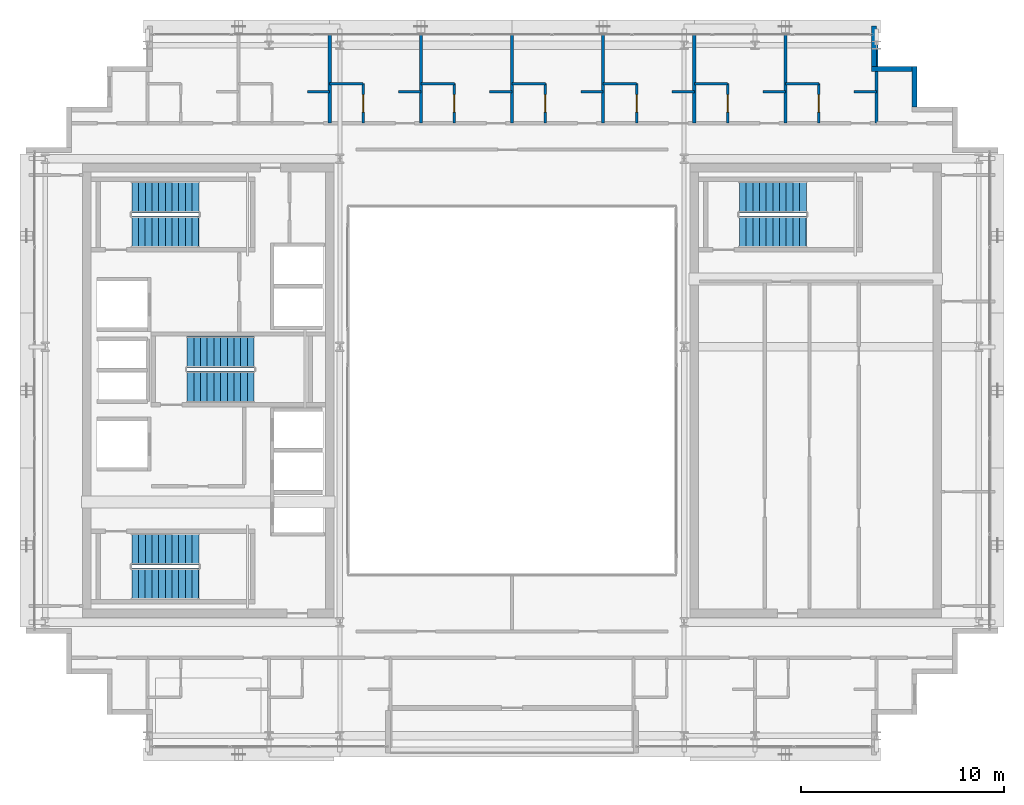
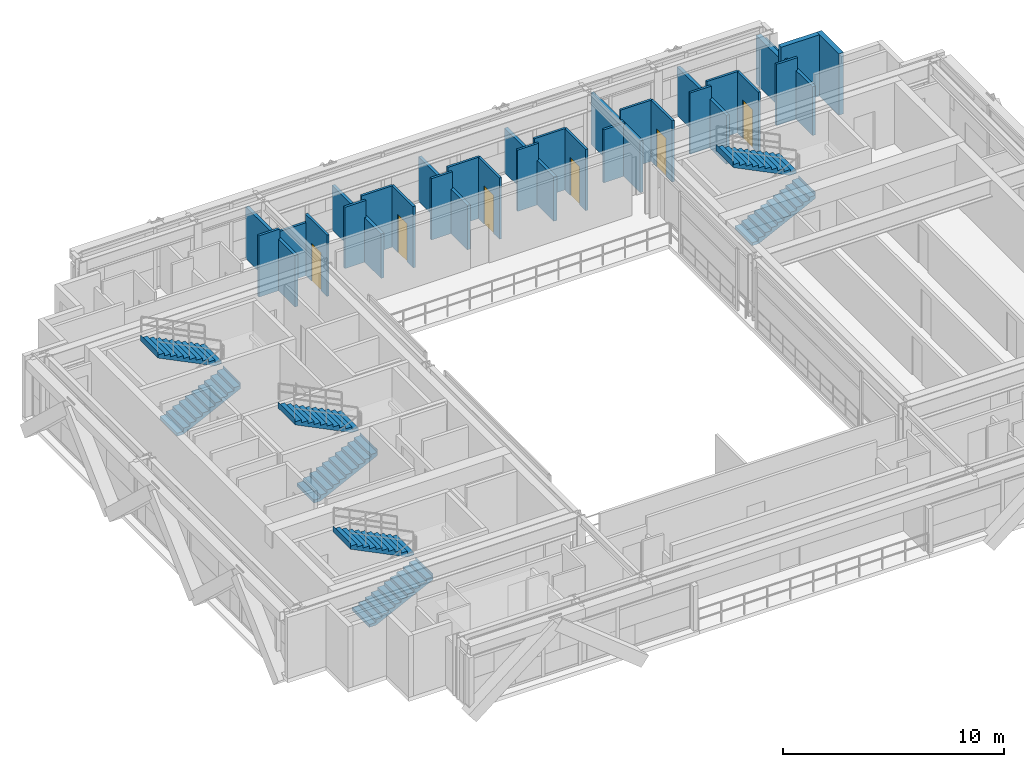
# One storey, part 25 of 29: 29 walls, 8 stair flights, 6 doors, 6 openings, 4 elements without a shape of their own.
"""IFC4 building model written with IfcOpenShell, lengths in metres."""

from ifc_helpers import new_model, si_unit, direction, frame, frame_2d, origin, place, context, subcontext, project, spatial, polyline, rectangle, outline, extrude, source, transform, mapped, material, layer, layer_set, type_object, element, fill, aggregate, save


model = new_model("IFC4")

# Units and contexts
model_context = context("Model", 3, precision=1e-05, world=origin(), true_north=direction((0.0, 1.0)))
body_context = subcontext(model_context, "Body", "Model", "MODEL_VIEW")
ifc_project = project(units=[si_unit("LENGTHUNIT", "METRE"), si_unit("AREAUNIT", "SQUARE_METRE"), si_unit("VOLUMEUNIT", "CUBIC_METRE"), si_unit("PLANEANGLEUNIT", "RADIAN"), si_unit("MASSUNIT", "GRAM", prefix="KILO")], contexts=[model_context])

# Site, building, storey
site_placement = place(None, origin())
site = spatial("IfcSite", under=ifc_project, at=site_placement, CompositionType="ELEMENT")
building_placement = place(site_placement, origin())
building = spatial("IfcBuilding", under=site, at=building_placement, Name="Ocotamira Hotel", CompositionType="ELEMENT")
storey_placement = place(building_placement, frame((0.0, 0.0, 236.39990234375)))
storey = spatial("IfcBuildingStorey", under=building, at=storey_placement, Name="L59", CompositionType="ELEMENT", Elevation=236.39990234375)

# Walls
ifc_material_1 = material(Name="Precast concrete C45/55", Category="concrete")
ifc_layer_1 = layer(ifc_material_1, 0.25)
ifc_layer_set_1 = layer_set([ifc_layer_1], Name="Precast concrete C45/55")
wall_type_1 = type_object("IfcWallType", Name="WL-EXT-SER-250", PredefinedType="SOLIDWALL", material=ifc_layer_set_1)
for number, where, z_axis, x_axis, name in (
    (1, (51.875, 40.0, 0.0), (0.0, 0.0, 1.0), (0.0, 1.0, 0.0), "L59 Serrated Corner Wall 10"),
    (2, (51.75, 41.875, 0.0), (0.0, 0.0, 1.0), (-1.0, 0.0, 0.0), "L59 Serrated Corner Wall 11"),
):
    element("IfcWall", number, at=place(storey_placement, frame(where, z_axis=z_axis, x_axis=x_axis)), inside=storey, type_object=wall_type_1, Name=name, PredefinedType="SOLIDWALL", context=body_context, shape_type="SweptSolid", body=[
        extrude(rectangle(XDim=2.0, YDim=0.25, at=frame_2d((1.0, 0.0))), origin(), (0.0, 0.0, 1.0), 3.380126953125),
    ])
wall_1_placement = place(storey_placement, frame((49.875, 42.0, 0.0), z_axis=(0.0, 0.0, 1.0), x_axis=(0.0, 1.0, 0.0)))
element("IfcWall", 3, at=wall_1_placement, inside=storey, type_object=wall_type_1, Name="L59 Serrated Corner Wall 12", PredefinedType="SOLIDWALL", context=body_context, shape_type="SweptSolid", body=[
    extrude(rectangle(XDim=2.0, YDim=0.25, at=frame_2d((1.0, 0.0))), origin(), (0.0, 0.0, 1.0), 2.68701171875),
])
ifc_material_2 = material(Name="Moisture-resistant en-suite tile and gypsum partition", Category="gypsum")
ifc_layer_2 = layer(ifc_material_2, 0.1201171875)
ifc_layer_set_2 = layer_set([ifc_layer_2], Name="Moisture-resistant en-suite tile and gypsum partition")
wall_type_2 = type_object("IfcWallType", Name="WL-PART-120", PredefinedType="PARTITIONING", material=ifc_layer_set_2)
wall_2_placement = place(storey_placement, frame((21.89990234375, 40.75, 0.0), z_axis=(0.0, 0.0, 1.0), x_axis=(1.0, 0.0, 0.0)))
element("IfcWall", 4, at=wall_2_placement, inside=storey, type_object=wall_type_2, Name="L59 Interior Wall PW-L59-Z4BN-DRN2", PredefinedType="PARTITIONING", context=body_context, shape_type="SweptSolid", body=[
    extrude(rectangle(XDim=1.10009765625, YDim=0.1201171875, at=frame_2d((0.550048828125, 0.0))), origin(), (0.0, 0.0, 1.0), 3.380126953125),
])

# Wall, opening, door
wall_3_placement = place(storey_placement, frame((24.64990234375, 39.199951171875, 0.0), z_axis=(0.0, 0.0, 1.0), x_axis=(0.0, 1.0, 0.0)))
wall_3 = element("IfcWall", 5, at=wall_3_placement, inside=storey, type_object=wall_type_2, Name="L59 Interior Wall PW-L59-Z4BN-BAE3", PredefinedType="PARTITIONING", context=body_context, shape_type="SweptSolid", body=[
    extrude(rectangle(XDim=1.949951171875, YDim=0.1201171875, at=frame_2d((0.97509765625, 0.0))), origin(), (0.0, 0.0, 1.0), 3.380126953125),
])
opening_1_placement = place(wall_3_placement, frame((0.544921875, 0.0, 0.0)))
opening_1 = element("IfcOpeningElement", 6, at=opening_1_placement, cuts=wall_3, Name="Opening D-BA1", PredefinedType="OPENING", context=body_context, shape_type="SweptSolid", body=[
    extrude(rectangle(XDim=0.860107421875, YDim=2.10009765625, at=frame_2d((0.43017578125, 1.050048828125))), frame((0.0, 0.070068359375, 0.0), z_axis=(0.0, -1.0, 0.0), x_axis=(1.0, 0.0, 0.0)), (0.0, 0.0, 1.0), 0.14013671875),
])
ifc_material_3 = material(Name="Moisture-sealed en-suite timber door", Category="wood")
door_type = type_object("IfcDoorType", Name="DR-BATH-860", OperationType="NOTDEFINED", PredefinedType="DOOR", material=ifc_material_3)
shared_shape_1 = source(origin(), body_context, "Body", "SweptSolid", [
    extrude(rectangle(XDim=0.860107421875, YDim=2.10009765625, at=frame_2d((0.43017578125, 1.050048828125))), frame((0.0, 0.02490234375, 0.0), z_axis=(0.0, -1.0, 0.0), x_axis=(1.0, 0.0, 0.0)), (0.0, 0.0, 1.0), 0.050048828125),
])
door_1_placement = place(opening_1_placement, origin())
door_1 = element("IfcDoor", 7, at=door_1_placement, inside=storey, type_object=door_type, Name="L59 Door ID-L59-Z4BN-BAD3 [ID-L59-Z4BN-BAD3]", OperationType="SINGLE_SWING_RIGHT", OverallHeight=2.10009765625, OverallWidth=0.860107421875, PredefinedType="DOOR", context=body_context, shape_type="MappedRepresentation", body=[
    mapped(shared_shape_1, transform((0.0, 0.0, 0.0), scale=1.0)),
])
fill(opening_1, door_1)

# Walls
wall_4_placement = place(storey_placement, frame((23.0, 41.14990234375, 0.0), z_axis=(0.0, 0.0, 1.0), x_axis=(1.0, 0.0, 0.0)))
element("IfcWall", 8, at=wall_4_placement, inside=storey, type_object=wall_type_2, Name="L59 Interior Wall PW-L59-Z4BN-BAN3", PredefinedType="PARTITIONING", context=body_context, shape_type="SweptSolid", body=[
    extrude(rectangle(XDim=1.64990234375, YDim=0.1201171875, at=frame_2d((0.824951171875, 0.0))), origin(), (0.0, 0.0, 1.0), 2.923095703125),
])
wall_5_placement = place(storey_placement, frame((26.39990234375, 40.75, 0.0), z_axis=(0.0, 0.0, 1.0), x_axis=(1.0, 0.0, 0.0)))
element("IfcWall", 9, at=wall_5_placement, inside=storey, type_object=wall_type_2, Name="L59 Interior Wall PW-L59-Z4BN-DRN3", PredefinedType="PARTITIONING", context=body_context, shape_type="SweptSolid", body=[
    extrude(rectangle(XDim=1.10009765625, YDim=0.1201171875, at=frame_2d((0.550048828125, 0.0))), origin(), (0.0, 0.0, 1.0), 3.380126953125),
])

# Wall, opening, door
wall_6_placement = place(storey_placement, frame((29.14990234375, 39.199951171875, 0.0), z_axis=(0.0, 0.0, 1.0), x_axis=(0.0, 1.0, 0.0)))
wall_6 = element("IfcWall", 10, at=wall_6_placement, inside=storey, type_object=wall_type_2, Name="L59 Interior Wall PW-L59-Z4BN-BAE4", PredefinedType="PARTITIONING", context=body_context, shape_type="SweptSolid", body=[
    extrude(rectangle(XDim=1.949951171875, YDim=0.1201171875, at=frame_2d((0.97509765625, 0.0))), origin(), (0.0, 0.0, 1.0), 3.380126953125),
])
opening_2_placement = place(wall_6_placement, frame((0.544921875, 0.0, 0.0)))
opening_2 = element("IfcOpeningElement", 11, at=opening_2_placement, cuts=wall_6, Name="Opening D-BA1", PredefinedType="OPENING", context=body_context, shape_type="SweptSolid", body=[
    extrude(rectangle(XDim=0.860107421875, YDim=2.10009765625, at=frame_2d((0.43017578125, 1.050048828125))), frame((0.0, 0.070068359375, 0.0), z_axis=(0.0, -1.0, 0.0), x_axis=(1.0, 0.0, 0.0)), (0.0, 0.0, 1.0), 0.14013671875),
])
door_2_placement = place(opening_2_placement, origin())
door_2 = element("IfcDoor", 12, at=door_2_placement, inside=storey, type_object=door_type, Name="L59 Door ID-L59-Z4BN-BAD4 [ID-L59-Z4BN-BAD4]", OperationType="SINGLE_SWING_LEFT", OverallHeight=2.10009765625, OverallWidth=0.860107421875, PredefinedType="DOOR", context=body_context, shape_type="MappedRepresentation", body=[
    mapped(shared_shape_1, transform((0.0, 0.0, 0.0), scale=1.0)),
])
fill(opening_2, door_2)

# Walls
wall_7_placement = place(storey_placement, frame((27.5, 41.14990234375, 0.0), z_axis=(0.0, 0.0, 1.0), x_axis=(1.0, 0.0, 0.0)))
element("IfcWall", 13, at=wall_7_placement, inside=storey, type_object=wall_type_2, Name="L59 Interior Wall PW-L59-Z4BN-BAN4", PredefinedType="PARTITIONING", context=body_context, shape_type="SweptSolid", body=[
    extrude(rectangle(XDim=1.64990234375, YDim=0.1201171875, at=frame_2d((0.824951171875, 0.0))), origin(), (0.0, 0.0, 1.0), 3.380126953125),
])
wall_8_placement = place(storey_placement, frame((30.89990234375, 40.75, 0.0), z_axis=(0.0, 0.0, 1.0), x_axis=(1.0, 0.0, 0.0)))
element("IfcWall", 14, at=wall_8_placement, inside=storey, type_object=wall_type_2, Name="L59 Interior Wall PW-L59-Z4BN-DRN4", PredefinedType="PARTITIONING", context=body_context, shape_type="SweptSolid", body=[
    extrude(rectangle(XDim=1.10009765625, YDim=0.1201171875, at=frame_2d((0.550048828125, 0.0))), origin(), (0.0, 0.0, 1.0), 3.380126953125),
])

# Wall, opening, door
wall_9_placement = place(storey_placement, frame((33.64990234375, 39.199951171875, 0.0), z_axis=(0.0, 0.0, 1.0), x_axis=(0.0, 1.0, 0.0)))
wall_9 = element("IfcWall", 15, at=wall_9_placement, inside=storey, type_object=wall_type_2, Name="L59 Interior Wall PW-L59-Z4BN-BAE5", PredefinedType="PARTITIONING", context=body_context, shape_type="SweptSolid", body=[
    extrude(rectangle(XDim=1.949951171875, YDim=0.1201171875, at=frame_2d((0.97509765625, 0.0))), origin(), (0.0, 0.0, 1.0), 3.380126953125),
])
opening_3_placement = place(wall_9_placement, frame((0.544921875, 0.0, 0.0)))
opening_3 = element("IfcOpeningElement", 16, at=opening_3_placement, cuts=wall_9, Name="Opening D-BA1", PredefinedType="OPENING", context=body_context, shape_type="SweptSolid", body=[
    extrude(rectangle(XDim=0.860107421875, YDim=2.10009765625, at=frame_2d((0.43017578125, 1.050048828125))), frame((0.0, 0.070068359375, 0.0), z_axis=(0.0, -1.0, 0.0), x_axis=(1.0, 0.0, 0.0)), (0.0, 0.0, 1.0), 0.14013671875),
])
door_3_placement = place(opening_3_placement, origin())
door_3 = element("IfcDoor", 17, at=door_3_placement, inside=storey, type_object=door_type, Name="L59 Door ID-L59-Z4BN-BAD5 [ID-L59-Z4BN-BAD5]", OperationType="SINGLE_SWING_RIGHT", OverallHeight=2.10009765625, OverallWidth=0.860107421875, PredefinedType="DOOR", context=body_context, shape_type="MappedRepresentation", body=[
    mapped(shared_shape_1, transform((0.0, 0.0, 0.0), scale=1.0)),
])
fill(opening_3, door_3)

# Walls
wall_10_placement = place(storey_placement, frame((32.0, 41.14990234375, 0.0), z_axis=(0.0, 0.0, 1.0), x_axis=(1.0, 0.0, 0.0)))
element("IfcWall", 18, at=wall_10_placement, inside=storey, type_object=wall_type_2, Name="L59 Interior Wall PW-L59-Z4BN-BAN5", PredefinedType="PARTITIONING", context=body_context, shape_type="SweptSolid", body=[
    extrude(rectangle(XDim=1.64990234375, YDim=0.1201171875, at=frame_2d((0.824951171875, 0.0))), origin(), (0.0, 0.0, 1.0), 3.380126953125),
])
wall_11_placement = place(storey_placement, frame((35.39990234375, 40.75, 0.0), z_axis=(0.0, 0.0, 1.0), x_axis=(1.0, 0.0, 0.0)))
element("IfcWall", 19, at=wall_11_placement, inside=storey, type_object=wall_type_2, Name="L59 Interior Wall PW-L59-Z4BN-DRN5", PredefinedType="PARTITIONING", context=body_context, shape_type="SweptSolid", body=[
    extrude(rectangle(XDim=1.10009765625, YDim=0.1201171875, at=frame_2d((0.550048828125, 0.0))), origin(), (0.0, 0.0, 1.0), 3.380126953125),
])

# Wall, opening, door
wall_12_placement = place(storey_placement, frame((38.14990234375, 39.199951171875, 0.0), z_axis=(0.0, 0.0, 1.0), x_axis=(0.0, 1.0, 0.0)))
wall_12 = element("IfcWall", 20, at=wall_12_placement, inside=storey, type_object=wall_type_2, Name="L59 Interior Wall PW-L59-Z4BN-BAE6", PredefinedType="PARTITIONING", context=body_context, shape_type="SweptSolid", body=[
    extrude(rectangle(XDim=1.949951171875, YDim=0.1201171875, at=frame_2d((0.97509765625, 0.0))), origin(), (0.0, 0.0, 1.0), 3.380126953125),
])
opening_4_placement = place(wall_12_placement, frame((0.544921875, 0.0, 0.0)))
opening_4 = element("IfcOpeningElement", 21, at=opening_4_placement, cuts=wall_12, Name="Opening D-BA1", PredefinedType="OPENING", context=body_context, shape_type="SweptSolid", body=[
    extrude(rectangle(XDim=0.860107421875, YDim=2.10009765625, at=frame_2d((0.43017578125, 1.050048828125))), frame((0.0, 0.070068359375, 0.0), z_axis=(0.0, -1.0, 0.0), x_axis=(1.0, 0.0, 0.0)), (0.0, 0.0, 1.0), 0.14013671875),
])
door_4_placement = place(opening_4_placement, origin())
door_4 = element("IfcDoor", 22, at=door_4_placement, inside=storey, type_object=door_type, Name="L59 Door ID-L59-Z4BN-BAD6 [ID-L59-Z4BN-BAD6]", OperationType="SINGLE_SWING_LEFT", OverallHeight=2.10009765625, OverallWidth=0.860107421875, PredefinedType="DOOR", context=body_context, shape_type="MappedRepresentation", body=[
    mapped(shared_shape_1, transform((0.0, 0.0, 0.0), scale=1.0)),
])
fill(opening_4, door_4)

# Walls
wall_13_placement = place(storey_placement, frame((36.5, 41.14990234375, 0.0), z_axis=(0.0, 0.0, 1.0), x_axis=(1.0, 0.0, 0.0)))
element("IfcWall", 23, at=wall_13_placement, inside=storey, type_object=wall_type_2, Name="L59 Interior Wall PW-L59-Z4BN-BAN6", PredefinedType="PARTITIONING", context=body_context, shape_type="SweptSolid", body=[
    extrude(rectangle(XDim=1.64990234375, YDim=0.1201171875, at=frame_2d((0.824951171875, 0.0))), origin(), (0.0, 0.0, 1.0), 3.380126953125),
])
wall_14_placement = place(storey_placement, frame((39.89990234375, 40.75, 0.0), z_axis=(0.0, 0.0, 1.0), x_axis=(1.0, 0.0, 0.0)))
element("IfcWall", 24, at=wall_14_placement, inside=storey, type_object=wall_type_2, Name="L59 Interior Wall PW-L59-Z4BN-DRN6", PredefinedType="PARTITIONING", context=body_context, shape_type="SweptSolid", body=[
    extrude(rectangle(XDim=1.10009765625, YDim=0.1201171875, at=frame_2d((0.550048828125, 0.0))), origin(), (0.0, 0.0, 1.0), 2.923095703125),
])

# Wall, opening, door
wall_15_placement = place(storey_placement, frame((42.64990234375, 39.199951171875, 0.0), z_axis=(0.0, 0.0, 1.0), x_axis=(0.0, 1.0, 0.0)))
wall_15 = element("IfcWall", 25, at=wall_15_placement, inside=storey, type_object=wall_type_2, Name="L59 Interior Wall PW-L59-Z4BN-BAE7", PredefinedType="PARTITIONING", context=body_context, shape_type="SweptSolid", body=[
    extrude(rectangle(XDim=1.949951171875, YDim=0.1201171875, at=frame_2d((0.97509765625, 0.0))), origin(), (0.0, 0.0, 1.0), 3.380126953125),
])
opening_5_placement = place(wall_15_placement, frame((0.544921875, 0.0, 0.0)))
opening_5 = element("IfcOpeningElement", 26, at=opening_5_placement, cuts=wall_15, Name="Opening D-BA1", PredefinedType="OPENING", context=body_context, shape_type="SweptSolid", body=[
    extrude(rectangle(XDim=0.860107421875, YDim=2.10009765625, at=frame_2d((0.43017578125, 1.050048828125))), frame((0.0, 0.070068359375, 0.0), z_axis=(0.0, -1.0, 0.0), x_axis=(1.0, 0.0, 0.0)), (0.0, 0.0, 1.0), 0.14013671875),
])
door_5_placement = place(opening_5_placement, origin())
door_5 = element("IfcDoor", 27, at=door_5_placement, inside=storey, type_object=door_type, Name="L59 Door ID-L59-Z4BN-BAD7 [ID-L59-Z4BN-BAD7]", OperationType="SINGLE_SWING_RIGHT", OverallHeight=2.10009765625, OverallWidth=0.860107421875, PredefinedType="DOOR", context=body_context, shape_type="MappedRepresentation", body=[
    mapped(shared_shape_1, transform((0.0, 0.0, 0.0), scale=1.0)),
])
fill(opening_5, door_5)

# Walls
wall_16_placement = place(storey_placement, frame((41.0, 41.14990234375, 0.0), z_axis=(0.0, 0.0, 1.0), x_axis=(1.0, 0.0, 0.0)))
element("IfcWall", 28, at=wall_16_placement, inside=storey, type_object=wall_type_2, Name="L59 Interior Wall PW-L59-Z4BN-BAN7", PredefinedType="PARTITIONING", context=body_context, shape_type="SweptSolid", body=[
    extrude(rectangle(XDim=1.64990234375, YDim=0.1201171875, at=frame_2d((0.824951171875, 0.0))), origin(), (0.0, 0.0, 1.0), 3.380126953125),
])
wall_17_placement = place(storey_placement, frame((44.39990234375, 40.75, 0.0), z_axis=(0.0, 0.0, 1.0), x_axis=(1.0, 0.0, 0.0)))
element("IfcWall", 29, at=wall_17_placement, inside=storey, type_object=wall_type_2, Name="L59 Interior Wall PW-L59-Z4BN-DRN7", PredefinedType="PARTITIONING", context=body_context, shape_type="SweptSolid", body=[
    extrude(rectangle(XDim=1.10009765625, YDim=0.1201171875, at=frame_2d((0.550048828125, 0.0))), origin(), (0.0, 0.0, 1.0), 3.380126953125),
])

# Wall, opening, door
wall_18_placement = place(storey_placement, frame((47.14990234375, 39.199951171875, 0.0), z_axis=(0.0, 0.0, 1.0), x_axis=(0.0, 1.0, 0.0)))
wall_18 = element("IfcWall", 30, at=wall_18_placement, inside=storey, type_object=wall_type_2, Name="L59 Interior Wall PW-L59-Z4BN-BAE8", PredefinedType="PARTITIONING", context=body_context, shape_type="SweptSolid", body=[
    extrude(rectangle(XDim=1.949951171875, YDim=0.1201171875, at=frame_2d((0.97509765625, 0.0))), origin(), (0.0, 0.0, 1.0), 3.380126953125),
])
opening_6_placement = place(wall_18_placement, frame((0.544921875, 0.0, 0.0)))
opening_6 = element("IfcOpeningElement", 31, at=opening_6_placement, cuts=wall_18, Name="Opening D-BA1", PredefinedType="OPENING", context=body_context, shape_type="SweptSolid", body=[
    extrude(rectangle(XDim=0.860107421875, YDim=2.10009765625, at=frame_2d((0.43017578125, 1.050048828125))), frame((0.0, 0.070068359375, 0.0), z_axis=(0.0, -1.0, 0.0), x_axis=(1.0, 0.0, 0.0)), (0.0, 0.0, 1.0), 0.14013671875),
])
door_6_placement = place(opening_6_placement, origin())
door_6 = element("IfcDoor", 32, at=door_6_placement, inside=storey, type_object=door_type, Name="L59 Door ID-L59-Z4BN-BAD8 [ID-L59-Z4BN-BAD8]", OperationType="SINGLE_SWING_LEFT", OverallHeight=2.10009765625, OverallWidth=0.860107421875, PredefinedType="DOOR", context=body_context, shape_type="MappedRepresentation", body=[
    mapped(shared_shape_1, transform((0.0, 0.0, 0.0), scale=1.0)),
])
fill(opening_6, door_6)

# Walls
wall_19_placement = place(storey_placement, frame((45.5, 41.14990234375, 0.0), z_axis=(0.0, 0.0, 1.0), x_axis=(1.0, 0.0, 0.0)))
element("IfcWall", 33, at=wall_19_placement, inside=storey, type_object=wall_type_2, Name="L59 Interior Wall PW-L59-Z4BN-BAN8", PredefinedType="PARTITIONING", context=body_context, shape_type="SweptSolid", body=[
    extrude(rectangle(XDim=1.64990234375, YDim=0.1201171875, at=frame_2d((0.824951171875, 0.0))), origin(), (0.0, 0.0, 1.0), 3.380126953125),
])
wall_20_placement = place(storey_placement, frame((48.89990234375, 40.75, 0.0), z_axis=(0.0, 0.0, 1.0), x_axis=(1.0, 0.0, 0.0)))
element("IfcWall", 34, at=wall_20_placement, inside=storey, type_object=wall_type_2, Name="L59 Interior Wall PW-L59-Z4BN-DRN8", PredefinedType="PARTITIONING", context=body_context, shape_type="SweptSolid", body=[
    extrude(rectangle(XDim=1.10009765625, YDim=0.1201171875, at=frame_2d((0.550048828125, 0.0))), origin(), (0.0, 0.0, 1.0), 3.380126953125),
])
ifc_material_4 = material(Name="Acoustic double-stud hospitality gypsum partition", Category="gypsum")
ifc_layer_3 = layer(ifc_material_4, 0.159912109375)
ifc_layer_set_3 = layer_set([ifc_layer_3], Name="Acoustic double-stud hospitality gypsum partition")
wall_type_3 = type_object("IfcWallType", Name="WL-PART-160", PredefinedType="PARTITIONING", material=ifc_layer_set_3)
wall_21_placement = place(storey_placement, frame((50.0, 39.199951171875, 0.0), z_axis=(0.0, 0.0, 1.0), x_axis=(0.0, 1.0, 0.0)))
element("IfcWall", 35, at=wall_21_placement, inside=storey, type_object=wall_type_3, Name="L59 Interior Wall PW-L59-Z4BN-PWEND", PredefinedType="PARTITIONING", context=body_context, shape_type="SweptSolid", body=[
    extrude(rectangle(XDim=4.43994140625, YDim=0.159912109375, at=frame_2d((2.219970703125, 0.0))), origin(), (0.0, 0.0, 1.0), 2.68701171875),
])
wall_22_placement = place(storey_placement, frame((23.0, 39.199951171875, 0.0), z_axis=(0.0, 0.0, 1.0), x_axis=(0.0, 1.0, 0.0)))
element("IfcWall", 36, at=wall_22_placement, inside=storey, type_object=wall_type_3, Name="L59 Interior Wall PW-L59-Z4BN-PW2", PredefinedType="PARTITIONING", context=body_context, shape_type="SweptSolid", body=[
    extrude(rectangle(XDim=4.43994140625, YDim=0.159912109375, at=frame_2d((2.219970703125, 0.0))), origin(), (0.0, 0.0, 1.0), 2.843017578125),
])
for number, where, z_axis, x_axis, name in (
    (37, (27.5, 39.199951171875, 0.0), (0.0, 0.0, 1.0), (0.0, 1.0, 0.0), "L59 Interior Wall PW-L59-Z4BN-PW3"),
    (38, (32.0, 39.199951171875, 0.0), (0.0, 0.0, 1.0), (0.0, 1.0, 0.0), "L59 Interior Wall PW-L59-Z4BN-PW4"),
    (39, (36.5, 39.199951171875, 0.0), (0.0, 0.0, 1.0), (0.0, 1.0, 0.0), "L59 Interior Wall PW-L59-Z4BN-PW5"),
):
    element("IfcWall", number, at=place(storey_placement, frame(where, z_axis=z_axis, x_axis=x_axis)), inside=storey, type_object=wall_type_3, Name=name, PredefinedType="PARTITIONING", context=body_context, shape_type="SweptSolid", body=[
        extrude(rectangle(XDim=4.43994140625, YDim=0.159912109375, at=frame_2d((2.219970703125, 0.0))), origin(), (0.0, 0.0, 1.0), 2.453125),
    ])
wall_23_placement = place(storey_placement, frame((41.0, 39.199951171875, 0.0), z_axis=(0.0, 0.0, 1.0), x_axis=(0.0, 1.0, 0.0)))
element("IfcWall", 40, at=wall_23_placement, inside=storey, type_object=wall_type_3, Name="L59 Interior Wall PW-L59-Z4BN-PW6", PredefinedType="PARTITIONING", context=body_context, shape_type="SweptSolid", body=[
    extrude(rectangle(XDim=4.43994140625, YDim=0.159912109375, at=frame_2d((2.219970703125, 0.0))), origin(), (0.0, 0.0, 1.0), 2.843017578125),
])
wall_24_placement = place(storey_placement, frame((45.5, 39.199951171875, 0.0), z_axis=(0.0, 0.0, 1.0), x_axis=(0.0, 1.0, 0.0)))
element("IfcWall", 41, at=wall_24_placement, inside=storey, type_object=wall_type_3, Name="L59 Interior Wall PW-L59-Z4BN-PW7", PredefinedType="PARTITIONING", context=body_context, shape_type="SweptSolid", body=[
    extrude(rectangle(XDim=4.43994140625, YDim=0.159912109375, at=frame_2d((2.219970703125, 0.0))), origin(), (0.0, 0.0, 1.0), 2.68701171875),
])

# Stair, stair flights
ifc_material_5 = material(Name="Concrete C40/50", Category="concrete")
stair_type = type_object("IfcStairType", Name="ST-CORE-1560", PredefinedType="HALF_TURN_STAIR", material=ifc_material_5)
stair_1_placement = place(storey_placement, origin())
stair_1 = element("IfcStair", 42, at=stair_1_placement, inside=storey, type_object=stair_type, Name="L59 Exit Stair ST-1", PredefinedType="HALF_TURN_STAIR")
stair_flight_type = type_object("IfcStairFlightType", Name="STF-CORE-1560", PredefinedType="STRAIGHT", material=ifc_material_5)
shared_shape_2 = source(origin(), body_context, "Body", "SweptSolid", [
    extrude(outline(polyline([(-0.00390625, 0.0), (-0.00390625, 0.16357421875), (0.330078125, 0.16357421875), (0.330078125, 0.327392578125), (0.659912109375, 0.327392578125), (0.659912109375, 0.490966796875), (0.989990234375, 0.490966796875), (0.989990234375, 0.654541015625), (1.320068359375, 0.654541015625), (1.320068359375, 0.818115234375), (1.64990234375, 0.818115234375), (1.64990234375, 0.98193359375), (1.97998046875, 0.98193359375), (1.97998046875, 1.1455078125), (2.31005859375, 1.1455078125), (2.31005859375, 1.30908203125), (2.639892578125, 1.30908203125), (2.639892578125, 1.47265625), (2.969970703125, 1.47265625), (2.969970703125, 1.636474609375), (3.300048828125, 1.636474609375), (3.300048828125, 1.800048828125), (3.303955078125, 1.800048828125), (3.303955078125, 1.468994140625), (0.33740234375, 0.0), (-0.00390625, 0.0)])), frame((0.0, 0.780029296875, 0.0), z_axis=(0.0, -1.0, 0.0), x_axis=(1.0, 0.0, 0.0)), (0.0, 0.0, 1.0), 1.56005859375),
])
stair_flight_1_placement = place(storey_placement, frame((13.22998046875, 16.449951171875, 0.0), z_axis=(0.0, 0.0, 1.0), x_axis=(1.0, 0.0, 0.0)))
stair_flight_1 = element("IfcStairFlight", 43, at=stair_flight_1_placement, type_object=stair_flight_type, Name="ST-1 flight 1", NumberOfRisers=11, NumberOfTreads=10, PredefinedType="STRAIGHT", RiserHeight=0.163636364, TreadLength=0.33, context=body_context, shape_type="MappedRepresentation", body=[
    mapped(shared_shape_2, transform((0.0, 0.0, 0.0), scale=1.0)),
])
stair_flight_2_placement = place(storey_placement, frame((16.530029296875, 18.169921875, 1.800048828125), z_axis=(0.0, 0.0, 1.0), x_axis=(-1.0, 0.0, 0.0)))
stair_flight_2 = element("IfcStairFlight", 44, at=stair_flight_2_placement, type_object=stair_flight_type, Name="ST-1 flight 2", NumberOfRisers=11, NumberOfTreads=10, PredefinedType="STRAIGHT", RiserHeight=0.163636364, TreadLength=0.33, context=body_context, shape_type="MappedRepresentation", body=[
    mapped(shared_shape_2, transform((0.0, 0.0, 0.0), scale=1.0)),
])
aggregate(stair_1, [stair_flight_1, stair_flight_2])

stair_2_placement = place(storey_placement, origin())
stair_2 = element("IfcStair", 45, at=stair_2_placement, inside=storey, type_object=stair_type, Name="L59 Exit Stair ST-2", PredefinedType="HALF_TURN_STAIR")
stair_flight_3_placement = place(storey_placement, frame((13.22998046875, 33.830078125, 0.0), z_axis=(0.0, 0.0, 1.0), x_axis=(1.0, 0.0, 0.0)))
stair_flight_3 = element("IfcStairFlight", 46, at=stair_flight_3_placement, type_object=stair_flight_type, Name="ST-2 flight 1", NumberOfRisers=11, NumberOfTreads=10, PredefinedType="STRAIGHT", RiserHeight=0.163636364, TreadLength=0.33, context=body_context, shape_type="MappedRepresentation", body=[
    mapped(shared_shape_2, transform((0.0, 0.0, 0.0), scale=1.0)),
])
stair_flight_4_placement = place(storey_placement, frame((16.530029296875, 35.550048828125, 1.800048828125), z_axis=(0.0, 0.0, 1.0), x_axis=(-1.0, 0.0, 0.0)))
stair_flight_4 = element("IfcStairFlight", 47, at=stair_flight_4_placement, type_object=stair_flight_type, Name="ST-2 flight 2", NumberOfRisers=11, NumberOfTreads=10, PredefinedType="STRAIGHT", RiserHeight=0.163636364, TreadLength=0.33, context=body_context, shape_type="MappedRepresentation", body=[
    mapped(shared_shape_2, transform((0.0, 0.0, 0.0), scale=1.0)),
])
aggregate(stair_2, [stair_flight_3, stair_flight_4])

stair_3_placement = place(storey_placement, origin())
stair_3 = element("IfcStair", 48, at=stair_3_placement, inside=storey, type_object=stair_type, Name="L59 Exit Stair ST-3", PredefinedType="HALF_TURN_STAIR")
stair_flight_5_placement = place(storey_placement, frame((15.9599609375, 26.179931640625, 0.0), z_axis=(0.0, 0.0, 1.0), x_axis=(1.0, 0.0, 0.0)))
stair_flight_5 = element("IfcStairFlight", 49, at=stair_flight_5_placement, type_object=stair_flight_type, Name="ST-3 flight 1", NumberOfRisers=11, NumberOfTreads=10, PredefinedType="STRAIGHT", RiserHeight=0.163636364, TreadLength=0.33, context=body_context, shape_type="MappedRepresentation", body=[
    mapped(shared_shape_2, transform((0.0, 0.0, 0.0), scale=1.0)),
])
stair_flight_6_placement = place(storey_placement, frame((19.260009765625, 27.89990234375, 1.800048828125), z_axis=(0.0, 0.0, 1.0), x_axis=(-1.0, 0.0, 0.0)))
stair_flight_6 = element("IfcStairFlight", 50, at=stair_flight_6_placement, type_object=stair_flight_type, Name="ST-3 flight 2", NumberOfRisers=11, NumberOfTreads=10, PredefinedType="STRAIGHT", RiserHeight=0.163636364, TreadLength=0.33, context=body_context, shape_type="MappedRepresentation", body=[
    mapped(shared_shape_2, transform((0.0, 0.0, 0.0), scale=1.0)),
])
aggregate(stair_3, [stair_flight_5, stair_flight_6])

stair_4_placement = place(storey_placement, origin())
stair_4 = element("IfcStair", 51, at=stair_4_placement, inside=storey, type_object=stair_type, Name="L59 Exit Stair ST-4", PredefinedType="HALF_TURN_STAIR")
stair_flight_7_placement = place(storey_placement, frame((43.22998046875, 33.830078125, 0.0), z_axis=(0.0, 0.0, 1.0), x_axis=(1.0, 0.0, 0.0)))
stair_flight_7 = element("IfcStairFlight", 52, at=stair_flight_7_placement, type_object=stair_flight_type, Name="ST-4 flight 1", NumberOfRisers=11, NumberOfTreads=10, PredefinedType="STRAIGHT", RiserHeight=0.163636364, TreadLength=0.33, context=body_context, shape_type="MappedRepresentation", body=[
    mapped(shared_shape_2, transform((0.0, 0.0, 0.0), scale=1.0)),
])
stair_flight_8_placement = place(storey_placement, frame((46.530029296875, 35.550048828125, 1.800048828125), z_axis=(0.0, 0.0, 1.0), x_axis=(-1.0, 0.0, 0.0)))
stair_flight_8 = element("IfcStairFlight", 53, at=stair_flight_8_placement, type_object=stair_flight_type, Name="ST-4 flight 2", NumberOfRisers=11, NumberOfTreads=10, PredefinedType="STRAIGHT", RiserHeight=0.163636364, TreadLength=0.33, context=body_context, shape_type="MappedRepresentation", body=[
    mapped(shared_shape_2, transform((0.0, 0.0, 0.0), scale=1.0)),
])
aggregate(stair_4, [stair_flight_7, stair_flight_8])

save(model, "model.ifc")
